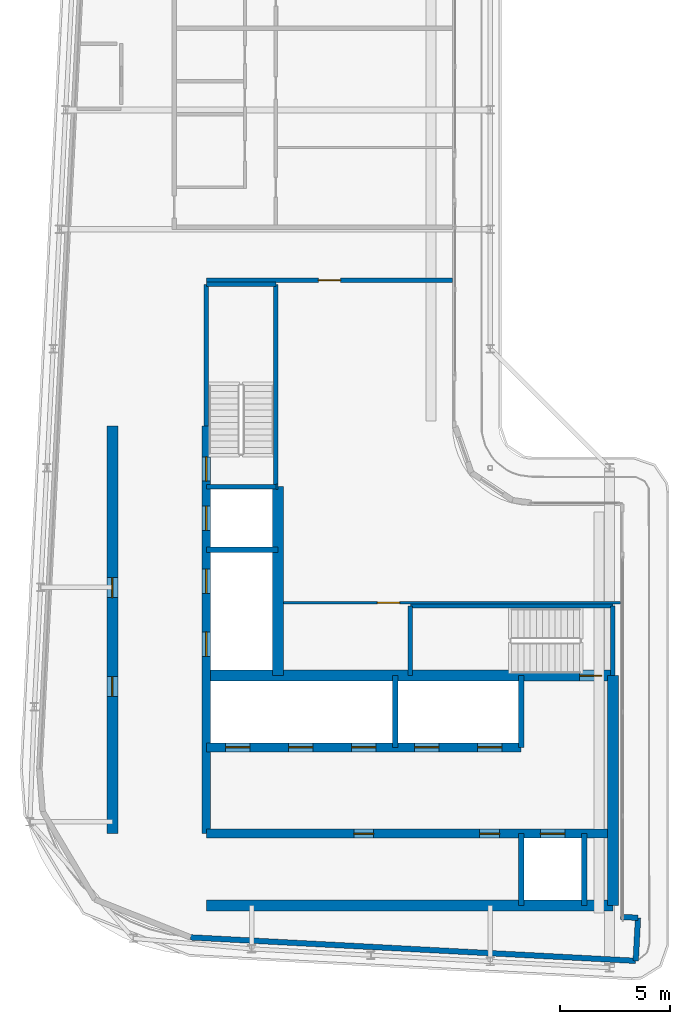
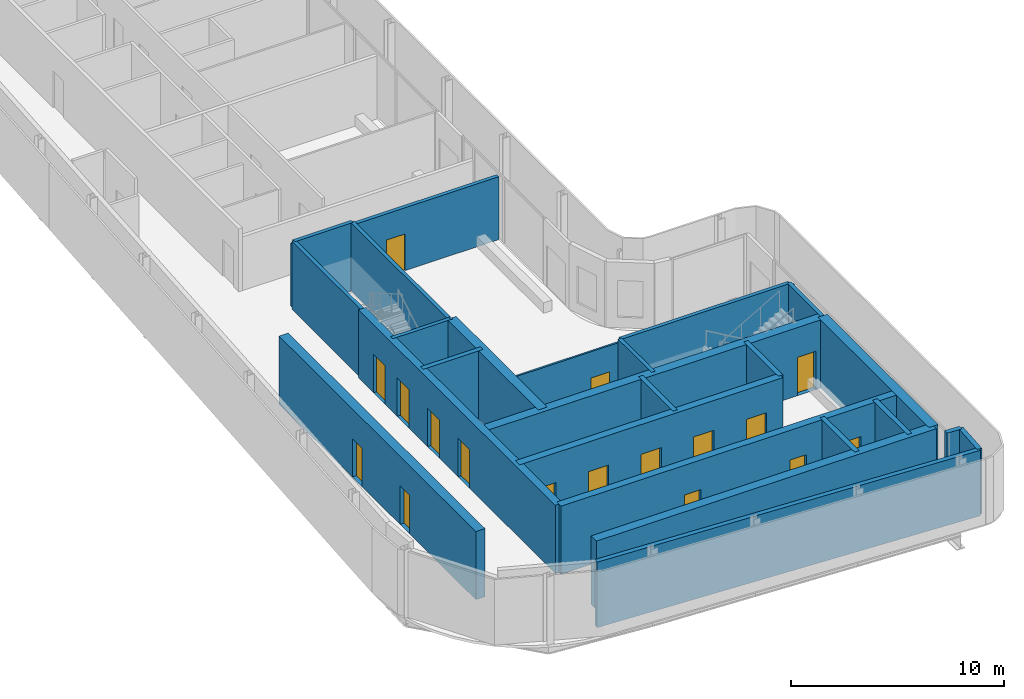
# One storey, part 9 of 18: 26 walls, 17 doors, 17 openings.
"""IFC4 building model written with IfcOpenShell, lengths in metres."""

import ifcopenshell
import ifcopenshell.guid

model = None  # the IFC model being written
_history = None  # IfcOwnerHistory: only IFC2X3 demands one
_inside = {}  # id of a spatial element -> (the spatial element, [elements in it])
_under = {}  # id of a project, library or spatial element -> (it, [spatial elements below it])
_declared = {}  # id of a project -> (the project, [libraries it declares])
_typed = {}  # id of a type object -> (the type object, [elements of that type])
_made_of = {}  # id of a material, layer set ... -> (it, [elements and type objects made of it])


def new_model(schema):
    """Start an empty IFC model of exactly this schema.

    Asked for "IFC4X3", IfcOpenShell would pick the latest addendum, in which some entities
    have other attributes; the version numbers below select the first issue.
    IFC2X3 requires an IfcOwnerHistory on every rooted entity: one is made here for all.
    """
    global model, _history
    if schema == "IFC4X3":
        model = ifcopenshell.file(schema_version=(4, 3, 0, 0))
    else:
        model = ifcopenshell.file(schema=schema)
    _inside.clear()
    _under.clear()
    _declared.clear()
    _typed.clear()
    _made_of.clear()
    _history = None
    if model.schema == "IFC2X3":
        org = make("IfcOrganization", Name="unknown")
        user = make(
            "IfcPersonAndOrganization",
            ThePerson=make("IfcPerson", FamilyName="unknown"),
            TheOrganization=org,
        )
        app = make(
            "IfcApplication",
            ApplicationDeveloper=org,
            Version="unknown",
            ApplicationFullName="unknown",
            ApplicationIdentifier="unknown",
        )
        _history = make(
            "IfcOwnerHistory",
            OwningUser=user,
            OwningApplication=app,
            ChangeAction="ADDED",
            CreationDate=0,
        )
    return model


def make(cls, **values):
    """One entity of the class cls with the attributes given. An attribute that is None is left unset."""
    return model.create_entity(
        cls, **{name: value for name, value in values.items() if value is not None}
    )


def rooted(cls, **values):
    """An entity with a GlobalId (a new one), such as an element, a storey or a relation."""
    return make(cls, GlobalId=ifcopenshell.guid.new(), OwnerHistory=_history, **values)


def si_unit(unit_type, name, prefix=None):
    """IfcSIUnit, for example si_unit("LENGTHUNIT", "METRE", prefix="MILLI")."""
    return make("IfcSIUnit", UnitType=unit_type, Prefix=prefix, Name=name)


def assignment(units):
    """IfcUnitAssignment: the units of a project."""
    return None if units is None else make("IfcUnitAssignment", Units=units)


def point(xyz):
    """IfcCartesianPoint."""
    return None if xyz is None else make("IfcCartesianPoint", Coordinates=xyz)


def direction(xyz):
    """IfcDirection."""
    return None if xyz is None else make("IfcDirection", DirectionRatios=xyz)


def frame(location, z_axis=None, x_axis=None):
    """IfcAxis2Placement3D, a coordinate frame: its origin and axes. An axis left out is left unset."""
    return make(
        "IfcAxis2Placement3D",
        Location=point(location),
        Axis=direction(z_axis),
        RefDirection=direction(x_axis),
    )


def frame_2d(location, x_axis=None):
    """IfcAxis2Placement2D, a coordinate frame in the plane: its origin and x axis."""
    return make(
        "IfcAxis2Placement2D", Location=point(location), RefDirection=direction(x_axis)
    )


def origin():
    """The frame at (0, 0, 0) with its axes left unset."""
    return frame((0.0, 0.0, 0.0))


def place(relative_to, where):
    """IfcLocalPlacement: puts the frame where relative to a parent placement (None: the world)."""
    return make(
        "IfcLocalPlacement", PlacementRelTo=relative_to, RelativePlacement=where
    )


def context(
    kind, dimensions, precision=None, world=None, true_north=None, identifier=None
):
    """IfcGeometricRepresentationContext, for example the 3D "Model" context."""
    return make(
        "IfcGeometricRepresentationContext",
        ContextIdentifier=identifier,
        ContextType=kind,
        CoordinateSpaceDimension=dimensions,
        Precision=precision,
        WorldCoordinateSystem=world,
        TrueNorth=true_north,
    )


def subcontext(parent, identifier, kind, view, scale=None):
    """IfcGeometricRepresentationSubContext, for example "Body" below "Model"."""
    return make(
        "IfcGeometricRepresentationSubContext",
        ContextIdentifier=identifier,
        ContextType=kind,
        ParentContext=parent,
        TargetScale=scale,
        TargetView=view,
    )


def project(units=None, contexts=None):
    """IfcProject with its units and contexts."""
    return rooted(
        "IfcProject",
        Name="project",
        RepresentationContexts=contexts,
        UnitsInContext=assignment(units),
    )


def spatial(cls, under=None, at=None, **own):
    """A site, building, storey or space (cls), placed at a placement, below another one or the project."""
    s = rooted(cls, ObjectPlacement=at, **own)
    if under is not None:
        _under.setdefault(under.id(), (under, []))[1].append(s)
    return s


def profile(cls, at=None, kind="AREA", **sizes):
    """A parametric profile (cls). Its sizes go by their IFC names, for example OverallWidth=200.0."""
    return make(cls, ProfileType=kind, Position=at, **sizes)


def rectangle(**sizes):
    """IfcRectangleProfileDef."""
    return profile("IfcRectangleProfileDef", **sizes)


def extrude(swept, where, along, depth):
    """IfcExtrudedAreaSolid: the profile swept, set in the frame where, extruded along a direction by depth."""
    return make(
        "IfcExtrudedAreaSolid",
        SweptArea=swept,
        Position=where,
        ExtrudedDirection=direction(along),
        Depth=depth,
    )


def shape(context_of_items, identifier, shape_type, items):
    """IfcShapeRepresentation: the items that make up one representation, for example the "Body"."""
    return make(
        "IfcShapeRepresentation",
        ContextOfItems=context_of_items,
        RepresentationIdentifier=identifier,
        RepresentationType=shape_type,
        Items=items,
    )


def source(mapping_origin, context_of_items, identifier, shape_type, items):
    """IfcRepresentationMap: a shape defined once, which mapped items show again and again."""
    return make(
        "IfcRepresentationMap",
        MappingOrigin=mapping_origin,
        MappedRepresentation=shape(context_of_items, identifier, shape_type, items),
    )


def transform(
    local_origin,
    x_axis=None,
    y_axis=None,
    z_axis=None,
    scale=None,
    scale2=None,
    scale3=None,
    uniform=True,
):
    """IfcCartesianTransformationOperator3D, or its non-uniform kind. x_axis, y_axis, z_axis: its Axis1, 2, 3."""
    if uniform:
        return make(
            "IfcCartesianTransformationOperator3D",
            Axis1=direction(x_axis),
            Axis2=direction(y_axis),
            LocalOrigin=point(local_origin),
            Scale=scale,
            Axis3=direction(z_axis),
        )
    return make(
        "IfcCartesianTransformationOperator3DnonUniform",
        Axis1=direction(x_axis),
        Axis2=direction(y_axis),
        LocalOrigin=point(local_origin),
        Scale=scale,
        Axis3=direction(z_axis),
        Scale2=scale2,
        Scale3=scale3,
    )


def mapped(mapping_source, mapping_target):
    """IfcMappedItem: shows the shape of a source again, moved by a transform."""
    return make(
        "IfcMappedItem", MappingSource=mapping_source, MappingTarget=mapping_target
    )


def material(Name=None, Category=None):
    """IfcMaterial."""
    return make("IfcMaterial", Name=Name, Category=Category)


def layer(
    of_material, thickness, ventilated=None, Name=None, Category=None, Priority=None
):
    """IfcMaterialLayer: one layer of a wall or slab, of a material (None: an air gap)."""
    return make(
        "IfcMaterialLayer",
        Material=of_material,
        LayerThickness=thickness,
        IsVentilated=ventilated,
        Name=Name,
        Category=Category,
        Priority=Priority,
    )


def layer_set(layers, Name=None):
    """IfcMaterialLayerSet."""
    return make("IfcMaterialLayerSet", MaterialLayers=layers, LayerSetName=Name)


def made_of(thing, what):
    """Note that an element or type object is made of a material, layer set ...; save() writes the relation."""
    if what is not None:
        _made_of.setdefault(what.id(), (what, []))[1].append(thing)
    return thing


def type_object(cls, material=None, **own):
    """A type object (cls), such as IfcWallType, which elements share."""
    return made_of(rooted(cls, **own), material)


def element(
    cls,
    number,
    at=None,
    inside=None,
    cuts=None,
    type_object=None,
    material=None,
    context=None,
    identifier="Body",
    shape_type=None,
    held_by="IfcProductDefinitionShape",
    body=None,
    shapes=None,
    **own,
):
    """One element of the class cls, such as IfcWall. Its Tag is "e" and its number.

    at: its placement. inside: the storey or other place that contains it. cuts: it is an
    opening in that element (IfcRelVoidsElement). A single representation is given by context,
    identifier, shape_type and body (its items); several are given by shapes. held_by: the class
    of the entity that holds the representations. save() writes the other relations.
    """
    e = rooted(cls, Tag="e%d" % number, ObjectPlacement=at, **own)
    if body is not None:
        shapes = [shape(context, identifier, shape_type, body)]
    if shapes is not None:
        e.Representation = make(held_by, Representations=shapes)
    if inside is not None:
        _inside.setdefault(inside.id(), (inside, []))[1].append(e)
    if cuts is not None:
        rooted(
            "IfcRelVoidsElement", RelatingBuildingElement=cuts, RelatedOpeningElement=e
        )
    if type_object is not None:
        _typed.setdefault(type_object.id(), (type_object, []))[1].append(e)
    return made_of(e, material)


def fill(opening, filler):
    """IfcRelFillsElement: the door or window that sits in an opening."""
    return rooted(
        "IfcRelFillsElement",
        RelatingOpeningElement=opening,
        RelatedBuildingElement=filler,
    )


def aggregate(whole, parts):
    """IfcRelAggregates: a whole, such as a stair, and the parts it consists of."""
    return rooted("IfcRelAggregates", RelatingObject=whole, RelatedObjects=parts)


def save(model, path):
    """Write the relations noted so far, then the file.

    IfcRelAggregates (storeys below a building ...), IfcRelContainedInSpatialStructure (elements
    in a storey), IfcRelDefinesByType, IfcRelAssociatesMaterial and IfcRelDeclares: one each for
    every whole, place, type object, material and project.
    """
    for whole, parts in _under.values():
        aggregate(whole, parts)
    for where, things in _inside.values():
        rooted(
            "IfcRelContainedInSpatialStructure",
            RelatedElements=things,
            RelatingStructure=where,
        )
    for kind, things in _typed.values():
        rooted("IfcRelDefinesByType", RelatedObjects=things, RelatingType=kind)
    for what, things in _made_of.values():
        rooted("IfcRelAssociatesMaterial", RelatedObjects=things, RelatingMaterial=what)
    for by, libraries in _declared.values():
        rooted("IfcRelDeclares", RelatingContext=by, RelatedDefinitions=libraries)
    model.write(path)


model = new_model("IFC4")

# Units and contexts
model_context = context("Model", 3, precision=1e-05, world=origin(), true_north=direction((0.0, 1.0)))
body_context = subcontext(model_context, "Body", "Model", "MODEL_VIEW")
ifc_project = project(units=[si_unit("LENGTHUNIT", "METRE"), si_unit("AREAUNIT", "SQUARE_METRE"), si_unit("VOLUMEUNIT", "CUBIC_METRE"), si_unit("PLANEANGLEUNIT", "RADIAN"), si_unit("MASSUNIT", "GRAM", prefix="KILO")], contexts=[model_context])

# Site, building, storey
site_placement = place(None, origin())
site = spatial("IfcSite", under=ifc_project, at=site_placement, CompositionType="ELEMENT")
building_placement = place(site_placement, origin())
building = spatial("IfcBuilding", under=site, at=building_placement, Name="Kheshtan School and Residences Tower", CompositionType="ELEMENT")
storey_placement = place(building_placement, frame((0.0, 0.0, 361.699951171875)))
storey = spatial("IfcBuildingStorey", under=building, at=storey_placement, Name="L85", CompositionType="ELEMENT", Elevation=361.699951171875)

# Wall, openings, doors
ifc_material_1 = material(Name="Concrete C50/60", Category="concrete")
ifc_layer_1 = layer(ifc_material_1, 0.39990234375)
ifc_layer_set_1 = layer_set([ifc_layer_1], Name="Core wall 400 Concrete C50/60")
wall_type_1 = type_object("IfcWallType", Name="Core wall 400 Concrete C50/60", PredefinedType="SHEAR", material=ifc_layer_set_1)
wall_1_placement = place(storey_placement, frame((34.75, 29.050048828125, 0.0), z_axis=(0.0, 0.0, 1.0), x_axis=(1.0, 0.0, 0.0)))
wall_1 = element("IfcWall", 1, at=wall_1_placement, inside=storey, type_object=wall_type_1, Name="Core wall CW-HALL-S1", PredefinedType="SHEAR", context=body_context, shape_type="SweptSolid", body=[
    extrude(rectangle(XDim=18.39990234375, YDim=0.39990234375, at=frame_2d((9.199951171875, 0.0))), origin(), (0.0, 0.0, 1.0), 3.900146484375),
])
opening_1_placement = place(wall_1_placement, frame((15.125, 0.0, 0.0)))
opening_1 = element("IfcOpeningElement", 2, at=opening_1_placement, cuts=wall_1, Name="Opening LD", PredefinedType="OPENING", context=body_context, shape_type="SweptSolid", body=[
    extrude(rectangle(XDim=1.10009765625, YDim=2.199951171875, at=frame_2d((0.550048828125, 1.10009765625))), frame((0.0, 0.2099609375, 0.0), z_axis=(0.0, -1.0, 0.0), x_axis=(1.0, 0.0, 0.0)), (0.0, 0.0, 1.0), 0.419921875),
])
opening_2_placement = place(wall_1_placement, frame((6.675048828125, 0.0, 0.0)))
opening_2 = element("IfcOpeningElement", 3, at=opening_2_placement, cuts=wall_1, Name="Opening SR90", PredefinedType="OPENING", context=body_context, shape_type="SweptSolid", body=[
    extrude(rectangle(XDim=0.89990234375, YDim=2.199951171875, at=frame_2d((0.449951171875, 1.10009765625))), frame((0.0, 0.2099609375, 0.0), z_axis=(0.0, -1.0, 0.0), x_axis=(1.0, 0.0, 0.0)), (0.0, 0.0, 1.0), 0.419921875),
])
opening_3_placement = place(wall_1_placement, frame((12.375, 0.0, 0.0)))
opening_3 = element("IfcOpeningElement", 4, at=opening_3_placement, cuts=wall_1, Name="Opening SR90", PredefinedType="OPENING", context=body_context, shape_type="SweptSolid", body=[
    extrude(rectangle(XDim=0.89990234375, YDim=2.199951171875, at=frame_2d((0.449951171875, 1.10009765625))), frame((0.0, 0.2099609375, 0.0), z_axis=(0.0, -1.0, 0.0), x_axis=(1.0, 0.0, 0.0)), (0.0, 0.0, 1.0), 0.419921875),
])
ifc_material_2 = material(Name="Stainless steel door leaves", Category="steel")
door_type_1 = type_object("IfcDoorType", Name="Lift landing door 1100", OperationType="SLIDING_TO_LEFT", PredefinedType="DOOR", material=ifc_material_2)
shared_shape_1 = source(origin(), body_context, "Body", "SweptSolid", [
    extrude(rectangle(XDim=1.10009765625, YDim=2.199951171875, at=frame_2d((0.550048828125, 1.10009765625))), frame((0.0, 0.02490234375, 0.0), z_axis=(0.0, -1.0, 0.0), x_axis=(1.0, 0.0, 0.0)), (0.0, 0.0, 1.0), 0.050048828125),
])
door_1_placement = place(opening_1_placement, origin())
door_1 = element("IfcDoor", 5, at=door_1_placement, inside=storey, type_object=door_type_1, Name="Lift FFL2 landing door", OperationType="SLIDING_TO_LEFT", OverallHeight=2.199951171875, OverallWidth=1.10009765625, PredefinedType="DOOR", context=body_context, shape_type="MappedRepresentation", body=[
    mapped(shared_shape_1, transform((0.0, 0.0, 0.0), x_axis=(1.0, 0.0, 0.0), y_axis=(0.0, 1.0, 0.0), z_axis=(0.0, 0.0, 1.0), scale=1.0)),
])
fill(opening_1, door_1)
ifc_material_3 = material(Name="Steel door leaf, galvanised", Category="steel")
door_type_2 = type_object("IfcDoorType", Name="Service room door 900 steel 90 min", OperationType="SINGLE_SWING_LEFT", PredefinedType="DOOR", material=ifc_material_3)
shared_shape_2 = source(origin(), body_context, "Body", "SweptSolid", [
    extrude(rectangle(XDim=0.89990234375, YDim=2.199951171875, at=frame_2d((0.449951171875, 1.10009765625))), frame((0.0, 0.02490234375, 0.0), z_axis=(0.0, -1.0, 0.0), x_axis=(1.0, 0.0, 0.0)), (0.0, 0.0, 1.0), 0.050048828125),
])
door_2_placement = place(opening_2_placement, origin())
door_2 = element("IfcDoor", 6, at=door_2_placement, inside=storey, type_object=door_type_2, Name="Service room door", OperationType="SINGLE_SWING_RIGHT", OverallHeight=2.199951171875, OverallWidth=0.89990234375, PredefinedType="DOOR", context=body_context, shape_type="MappedRepresentation", body=[
    mapped(shared_shape_2, transform((0.0, 0.0, 0.0), x_axis=(1.0, 0.0, 0.0), y_axis=(0.0, 1.0, 0.0), z_axis=(0.0, 0.0, 1.0), scale=1.0)),
])
fill(opening_2, door_2)
door_3_placement = place(opening_3_placement, origin())
door_3 = element("IfcDoor", 7, at=door_3_placement, inside=storey, type_object=door_type_2, Name="Service room door", OperationType="SINGLE_SWING_LEFT", OverallHeight=2.199951171875, OverallWidth=0.89990234375, PredefinedType="DOOR", context=body_context, shape_type="MappedRepresentation", body=[
    mapped(shared_shape_2, transform((0.0, 0.0, 0.0), x_axis=(1.0, 0.0, 0.0), y_axis=(0.0, 1.0, 0.0), z_axis=(0.0, 0.0, 1.0), scale=1.0)),
])
fill(opening_3, door_3)

wall_2_placement = place(storey_placement, frame((34.75, 32.949951171875, 0.0), z_axis=(0.0, 0.0, 1.0), x_axis=(1.0, 0.0, 0.0)))
wall_2 = element("IfcWall", 8, at=wall_2_placement, inside=storey, type_object=wall_type_1, Name="Core wall CW-HALL-S2", PredefinedType="SHEAR", context=body_context, shape_type="SweptSolid", body=[
    extrude(rectangle(XDim=14.25, YDim=0.39990234375, at=frame_2d((7.125, 0.0))), origin(), (0.0, 0.0, 1.0), 3.900146484375),
])
opening_4_placement = place(wall_2_placement, frame((0.875, 0.0, 0.0)))
opening_4 = element("IfcOpeningElement", 9, at=opening_4_placement, cuts=wall_2, Name="Opening LD", PredefinedType="OPENING", context=body_context, shape_type="SweptSolid", body=[
    extrude(rectangle(XDim=1.10009765625, YDim=2.199951171875, at=frame_2d((0.550048828125, 1.10009765625))), frame((0.0, 0.2099609375, 0.0), z_axis=(0.0, -1.0, 0.0), x_axis=(1.0, 0.0, 0.0)), (0.0, 0.0, 1.0), 0.419921875),
])
opening_5_placement = place(wall_2_placement, frame((3.72509765625, 0.0, 0.0)))
opening_5 = element("IfcOpeningElement", 10, at=opening_5_placement, cuts=wall_2, Name="Opening LD", PredefinedType="OPENING", context=body_context, shape_type="SweptSolid", body=[
    extrude(rectangle(XDim=1.10009765625, YDim=2.199951171875, at=frame_2d((0.550048828125, 1.10009765625))), frame((0.0, 0.2099609375, 0.0), z_axis=(0.0, -1.0, 0.0), x_axis=(1.0, 0.0, 0.0)), (0.0, 0.0, 1.0), 0.419921875),
])
opening_6_placement = place(wall_2_placement, frame((6.574951171875, 0.0, 0.0)))
opening_6 = element("IfcOpeningElement", 11, at=opening_6_placement, cuts=wall_2, Name="Opening LD", PredefinedType="OPENING", context=body_context, shape_type="SweptSolid", body=[
    extrude(rectangle(XDim=1.10009765625, YDim=2.199951171875, at=frame_2d((0.550048828125, 1.10009765625))), frame((0.0, 0.2099609375, 0.0), z_axis=(0.0, -1.0, 0.0), x_axis=(1.0, 0.0, 0.0)), (0.0, 0.0, 1.0), 0.419921875),
])
opening_7_placement = place(wall_2_placement, frame((9.425048828125, 0.0, 0.0)))
opening_7 = element("IfcOpeningElement", 12, at=opening_7_placement, cuts=wall_2, Name="Opening LD", PredefinedType="OPENING", context=body_context, shape_type="SweptSolid", body=[
    extrude(rectangle(XDim=1.10009765625, YDim=2.199951171875, at=frame_2d((0.550048828125, 1.10009765625))), frame((0.0, 0.2099609375, 0.0), z_axis=(0.0, -1.0, 0.0), x_axis=(1.0, 0.0, 0.0)), (0.0, 0.0, 1.0), 0.419921875),
])
opening_8_placement = place(wall_2_placement, frame((12.27490234375, 0.0, 0.0)))
opening_8 = element("IfcOpeningElement", 13, at=opening_8_placement, cuts=wall_2, Name="Opening LD", PredefinedType="OPENING", context=body_context, shape_type="SweptSolid", body=[
    extrude(rectangle(XDim=1.10009765625, YDim=2.199951171875, at=frame_2d((0.550048828125, 1.10009765625))), frame((0.0, 0.2099609375, 0.0), z_axis=(0.0, -1.0, 0.0), x_axis=(1.0, 0.0, 0.0)), (0.0, 0.0, 1.0), 0.419921875),
])
door_4_placement = place(opening_4_placement, origin())
door_4 = element("IfcDoor", 14, at=door_4_placement, inside=storey, type_object=door_type_1, Name="Lift P12 landing door", OperationType="SLIDING_TO_LEFT", OverallHeight=2.199951171875, OverallWidth=1.10009765625, PredefinedType="DOOR", context=body_context, shape_type="MappedRepresentation", body=[
    mapped(shared_shape_1, transform((0.0, 0.0, 0.0), x_axis=(1.0, 0.0, 0.0), y_axis=(0.0, 1.0, 0.0), z_axis=(0.0, 0.0, 1.0), scale=1.0)),
])
fill(opening_4, door_4)
door_5_placement = place(opening_5_placement, origin())
door_5 = element("IfcDoor", 15, at=door_5_placement, inside=storey, type_object=door_type_1, Name="Lift P13 landing door", OperationType="SLIDING_TO_LEFT", OverallHeight=2.199951171875, OverallWidth=1.10009765625, PredefinedType="DOOR", context=body_context, shape_type="MappedRepresentation", body=[
    mapped(shared_shape_1, transform((0.0, 0.0, 0.0), x_axis=(1.0, 0.0, 0.0), y_axis=(0.0, 1.0, 0.0), z_axis=(0.0, 0.0, 1.0), scale=1.0)),
])
fill(opening_5, door_5)
door_6_placement = place(opening_6_placement, origin())
door_6 = element("IfcDoor", 16, at=door_6_placement, inside=storey, type_object=door_type_1, Name="Lift P14 landing door", OperationType="SLIDING_TO_LEFT", OverallHeight=2.199951171875, OverallWidth=1.10009765625, PredefinedType="DOOR", context=body_context, shape_type="MappedRepresentation", body=[
    mapped(shared_shape_1, transform((0.0, 0.0, 0.0), x_axis=(1.0, 0.0, 0.0), y_axis=(0.0, 1.0, 0.0), z_axis=(0.0, 0.0, 1.0), scale=1.0)),
])
fill(opening_6, door_6)
door_7_placement = place(opening_7_placement, origin())
door_7 = element("IfcDoor", 17, at=door_7_placement, inside=storey, type_object=door_type_1, Name="Lift P15 landing door", OperationType="SLIDING_TO_LEFT", OverallHeight=2.199951171875, OverallWidth=1.10009765625, PredefinedType="DOOR", context=body_context, shape_type="MappedRepresentation", body=[
    mapped(shared_shape_1, transform((0.0, 0.0, 0.0), x_axis=(1.0, 0.0, 0.0), y_axis=(0.0, 1.0, 0.0), z_axis=(0.0, 0.0, 1.0), scale=1.0)),
])
fill(opening_7, door_7)
door_8_placement = place(opening_8_placement, origin())
door_8 = element("IfcDoor", 18, at=door_8_placement, inside=storey, type_object=door_type_1, Name="Lift P16 landing door", OperationType="SLIDING_TO_LEFT", OverallHeight=2.199951171875, OverallWidth=1.10009765625, PredefinedType="DOOR", context=body_context, shape_type="MappedRepresentation", body=[
    mapped(shared_shape_1, transform((0.0, 0.0, 0.0), x_axis=(1.0, 0.0, 0.0), y_axis=(0.0, 1.0, 0.0), z_axis=(0.0, 0.0, 1.0), scale=1.0)),
])
fill(opening_8, door_8)

wall_3_placement = place(storey_placement, frame((34.75, 29.050048828125, 0.0), z_axis=(0.0, 0.0, 1.0), x_axis=(0.0, 1.0, 0.0)))
wall_3 = element("IfcWall", 19, at=wall_3_placement, inside=storey, type_object=wall_type_1, Name="Core wall CW-HALL-W1", PredefinedType="SHEAR", context=body_context, shape_type="SweptSolid", body=[
    extrude(rectangle(XDim=18.449951171875, YDim=0.39990234375, at=frame_2d((9.22509765625, 0.0))), origin(), (0.0, 0.0, 1.0), 3.900146484375),
])
opening_9_placement = place(wall_3_placement, frame((8.02490234375, 0.0, 0.0)))
opening_9 = element("IfcOpeningElement", 20, at=opening_9_placement, cuts=wall_3, Name="Opening LD", PredefinedType="OPENING", context=body_context, shape_type="SweptSolid", body=[
    extrude(rectangle(XDim=1.10009765625, YDim=2.199951171875, at=frame_2d((0.550048828125, 1.10009765625))), frame((0.0, 0.2099609375, 0.0), z_axis=(0.0, -1.0, 0.0), x_axis=(1.0, 0.0, 0.0)), (0.0, 0.0, 1.0), 0.419921875),
])
opening_10_placement = place(wall_3_placement, frame((10.875, 0.0, 0.0)))
opening_10 = element("IfcOpeningElement", 21, at=opening_10_placement, cuts=wall_3, Name="Opening LD", PredefinedType="OPENING", context=body_context, shape_type="SweptSolid", body=[
    extrude(rectangle(XDim=1.10009765625, YDim=2.199951171875, at=frame_2d((0.550048828125, 1.10009765625))), frame((0.0, 0.2099609375, 0.0), z_axis=(0.0, -1.0, 0.0), x_axis=(1.0, 0.0, 0.0)), (0.0, 0.0, 1.0), 0.419921875),
])
opening_11_placement = place(wall_3_placement, frame((13.72509765625, 0.0, 0.0)))
opening_11 = element("IfcOpeningElement", 22, at=opening_11_placement, cuts=wall_3, Name="Opening LD", PredefinedType="OPENING", context=body_context, shape_type="SweptSolid", body=[
    extrude(rectangle(XDim=1.10009765625, YDim=2.199951171875, at=frame_2d((0.550048828125, 1.10009765625))), frame((0.0, 0.2099609375, 0.0), z_axis=(0.0, -1.0, 0.0), x_axis=(1.0, 0.0, 0.0)), (0.0, 0.0, 1.0), 0.419921875),
])
opening_12_placement = place(wall_3_placement, frame((15.949951171875, 0.0, 0.0)))
opening_12 = element("IfcOpeningElement", 23, at=opening_12_placement, cuts=wall_3, Name="Opening ST2D", PredefinedType="OPENING", context=body_context, shape_type="SweptSolid", body=[
    extrude(rectangle(XDim=1.10009765625, YDim=2.199951171875, at=frame_2d((0.550048828125, 1.10009765625))), frame((0.0, 0.2099609375, 0.0), z_axis=(0.0, -1.0, 0.0), x_axis=(1.0, 0.0, 0.0)), (0.0, 0.0, 1.0), 0.419921875),
])
door_9_placement = place(opening_9_placement, origin())
door_9 = element("IfcDoor", 24, at=door_9_placement, inside=storey, type_object=door_type_1, Name="Lift SV1 landing door", OperationType="SLIDING_TO_LEFT", OverallHeight=2.199951171875, OverallWidth=1.10009765625, PredefinedType="DOOR", context=body_context, shape_type="MappedRepresentation", body=[
    mapped(shared_shape_1, transform((0.0, 0.0, 0.0), x_axis=(1.0, 0.0, 0.0), y_axis=(0.0, 1.0, 0.0), z_axis=(0.0, 0.0, 1.0), scale=1.0)),
])
fill(opening_9, door_9)
door_10_placement = place(opening_10_placement, origin())
door_10 = element("IfcDoor", 25, at=door_10_placement, inside=storey, type_object=door_type_1, Name="Lift SV2 landing door", OperationType="SLIDING_TO_LEFT", OverallHeight=2.199951171875, OverallWidth=1.10009765625, PredefinedType="DOOR", context=body_context, shape_type="MappedRepresentation", body=[
    mapped(shared_shape_1, transform((0.0, 0.0, 0.0), x_axis=(1.0, 0.0, 0.0), y_axis=(0.0, 1.0, 0.0), z_axis=(0.0, 0.0, 1.0), scale=1.0)),
])
fill(opening_10, door_10)
door_11_placement = place(opening_11_placement, origin())
door_11 = element("IfcDoor", 26, at=door_11_placement, inside=storey, type_object=door_type_1, Name="Lift FFL1 landing door", OperationType="SLIDING_TO_LEFT", OverallHeight=2.199951171875, OverallWidth=1.10009765625, PredefinedType="DOOR", context=body_context, shape_type="MappedRepresentation", body=[
    mapped(shared_shape_1, transform((0.0, 0.0, 0.0), x_axis=(1.0, 0.0, 0.0), y_axis=(0.0, 1.0, 0.0), z_axis=(0.0, 0.0, 1.0), scale=1.0)),
])
fill(opening_11, door_11)
door_type_3 = type_object("IfcDoorType", Name="Stair door 1100 steel 90 min", OperationType="SINGLE_SWING_LEFT", PredefinedType="DOOR", material=ifc_material_3)
shared_shape_3 = source(origin(), body_context, "Body", "SweptSolid", [
    extrude(rectangle(XDim=1.10009765625, YDim=2.199951171875, at=frame_2d((0.550048828125, 1.10009765625))), frame((0.0, 0.02490234375, 0.0), z_axis=(0.0, -1.0, 0.0), x_axis=(1.0, 0.0, 0.0)), (0.0, 0.0, 1.0), 0.050048828125),
])
door_12_placement = place(opening_12_placement, origin())
door_12 = element("IfcDoor", 27, at=door_12_placement, inside=storey, type_object=door_type_3, Name="Stair ST2 door", OperationType="SINGLE_SWING_RIGHT", OverallHeight=2.199951171875, OverallWidth=1.10009765625, PredefinedType="DOOR", context=body_context, shape_type="MappedRepresentation", body=[
    mapped(shared_shape_3, transform((0.0, 0.0, 0.0), x_axis=(1.0, 0.0, 0.0), y_axis=(0.0, 1.0, 0.0), z_axis=(0.0, 0.0, 1.0), scale=1.0)),
])
fill(opening_12, door_12)

# Wall
ifc_layer_2 = layer(ifc_material_1, 0.5)
ifc_layer_set_2 = layer_set([ifc_layer_2], Name="Core wall 500 Concrete C50/60")
wall_type_2 = type_object("IfcWallType", Name="Core wall 500 Concrete C50/60", PredefinedType="SHEAR", material=ifc_layer_set_2)
wall_4_placement = place(storey_placement, frame((34.75, 25.800048828125, 0.0), z_axis=(0.0, 0.0, 1.0), x_axis=(1.0, 0.0, 0.0)))
element("IfcWall", 28, at=wall_4_placement, inside=storey, type_object=wall_type_2, Name="Core wall CW-REAR-S", PredefinedType="SHEAR", context=body_context, shape_type="SweptSolid", body=[
    extrude(rectangle(XDim=18.39990234375, YDim=0.5, at=frame_2d((9.199951171875, 0.0))), origin(), (0.0, 0.0, 1.0), 3.900146484375),
])

# Wall, opening, door
wall_5_placement = place(storey_placement, frame((34.75, 36.199951171875, 0.0), z_axis=(0.0, 0.0, 1.0), x_axis=(1.0, 0.0, 0.0)))
wall_5 = element("IfcWall", 29, at=wall_5_placement, inside=storey, type_object=wall_type_2, Name="Core wall CW-FRONT-S", PredefinedType="SHEAR", context=body_context, shape_type="SweptSolid", body=[
    extrude(rectangle(XDim=18.39990234375, YDim=0.5, at=frame_2d((9.199951171875, 0.0))), origin(), (0.0, 0.0, 1.0), 3.900146484375),
])
opening_13_placement = place(wall_5_placement, frame((16.89990234375, 0.0, 0.0)))
opening_13 = element("IfcOpeningElement", 30, at=opening_13_placement, cuts=wall_5, Name="Opening ST1D", PredefinedType="OPENING", context=body_context, shape_type="SweptSolid", body=[
    extrude(rectangle(XDim=1.0, YDim=2.199951171875, at=frame_2d((0.5, 1.10009765625))), frame((0.0, 0.260009765625, 0.0), z_axis=(0.0, -1.0, 0.0), x_axis=(1.0, 0.0, 0.0)), (0.0, 0.0, 1.0), 0.52001953125),
])
shared_shape_4 = source(origin(), body_context, "Body", "SweptSolid", [
    extrude(rectangle(XDim=1.0, YDim=2.199951171875, at=frame_2d((0.5, 1.10009765625))), frame((0.0, 0.02490234375, 0.0), z_axis=(0.0, -1.0, 0.0), x_axis=(1.0, 0.0, 0.0)), (0.0, 0.0, 1.0), 0.050048828125),
])
door_13_placement = place(opening_13_placement, origin())
door_13 = element("IfcDoor", 31, at=door_13_placement, inside=storey, type_object=door_type_3, Name="Stair ST1 door", OperationType="SINGLE_SWING_RIGHT", OverallHeight=2.199951171875, OverallWidth=1.0, PredefinedType="DOOR", context=body_context, shape_type="MappedRepresentation", body=[
    mapped(shared_shape_4, transform((0.0, 0.0, 0.0), x_axis=(1.0, 0.0, 0.0), y_axis=(0.0, 1.0, 0.0), z_axis=(0.0, 0.0, 1.0), scale=1.0)),
])
fill(opening_13, door_13)

# Wall
wall_6_placement = place(storey_placement, frame((38.0, 36.199951171875, 0.0), z_axis=(0.0, 0.0, 1.0), x_axis=(0.0, 1.0, 0.0)))
element("IfcWall", 32, at=wall_6_placement, inside=storey, type_object=wall_type_2, Name="Core wall CW-FRONT-W", PredefinedType="SHEAR", context=body_context, shape_type="SweptSolid", body=[
    extrude(rectangle(XDim=8.550048828125, YDim=0.5, at=frame_2d((4.27490234375, 0.0))), origin(), (0.0, 0.0, 1.0), 3.900146484375),
])

# Wall, openings, doors
wall_7_placement = place(storey_placement, frame((30.5, 29.050048828125, 0.0), z_axis=(0.0, 0.0, 1.0), x_axis=(0.0, 1.0, 0.0)))
wall_7 = element("IfcWall", 33, at=wall_7_placement, inside=storey, type_object=wall_type_2, Name="Core wall CW-REAR-W", PredefinedType="SHEAR", context=body_context, shape_type="SweptSolid", body=[
    extrude(rectangle(XDim=18.449951171875, YDim=0.5, at=frame_2d((9.22509765625, 0.0))), origin(), (0.0, 0.0, 1.0), 3.900146484375),
])
opening_14_placement = place(wall_7_placement, frame((6.2099609375, 0.0, 0.0)))
opening_14 = element("IfcOpeningElement", 34, at=opening_14_placement, cuts=wall_7, Name="Opening SR90", PredefinedType="OPENING", context=body_context, shape_type="SweptSolid", body=[
    extrude(rectangle(XDim=0.89990234375, YDim=2.199951171875, at=frame_2d((0.449951171875, 1.10009765625))), frame((0.0, 0.260009765625, 0.0), z_axis=(0.0, -1.0, 0.0), x_axis=(1.0, 0.0, 0.0)), (0.0, 0.0, 1.0), 0.52001953125),
])
opening_15_placement = place(wall_7_placement, frame((10.68408203125, 0.0, 0.0)))
opening_15 = element("IfcOpeningElement", 35, at=opening_15_placement, cuts=wall_7, Name="Opening SR90", PredefinedType="OPENING", context=body_context, shape_type="SweptSolid", body=[
    extrude(rectangle(XDim=0.89990234375, YDim=2.199951171875, at=frame_2d((0.449951171875, 1.10009765625))), frame((0.0, 0.260009765625, 0.0), z_axis=(0.0, -1.0, 0.0), x_axis=(1.0, 0.0, 0.0)), (0.0, 0.0, 1.0), 0.52001953125),
])
door_14_placement = place(opening_14_placement, origin())
door_14 = element("IfcDoor", 36, at=door_14_placement, inside=storey, type_object=door_type_2, Name="Service room door", OperationType="SINGLE_SWING_RIGHT", OverallHeight=2.199951171875, OverallWidth=0.89990234375, PredefinedType="DOOR", context=body_context, shape_type="MappedRepresentation", body=[
    mapped(shared_shape_2, transform((0.0, 0.0, 0.0), x_axis=(1.0, 0.0, 0.0), y_axis=(0.0, 1.0, 0.0), z_axis=(0.0, 0.0, 1.0), scale=1.0)),
])
fill(opening_14, door_14)
door_15_placement = place(opening_15_placement, origin())
door_15 = element("IfcDoor", 37, at=door_15_placement, inside=storey, type_object=door_type_2, Name="Service room door", OperationType="SINGLE_SWING_LEFT", OverallHeight=2.199951171875, OverallWidth=0.89990234375, PredefinedType="DOOR", context=body_context, shape_type="MappedRepresentation", body=[
    mapped(shared_shape_2, transform((0.0, 0.0, 0.0), x_axis=(1.0, 0.0, 0.0), y_axis=(0.0, 1.0, 0.0), z_axis=(0.0, 0.0, 1.0), scale=1.0)),
])
fill(opening_15, door_15)

# Wall
wall_8_placement = place(storey_placement, frame((53.14990234375, 25.800048828125, 0.0), z_axis=(0.0, 0.0, 1.0), x_axis=(0.0, 1.0, 0.0)))
element("IfcWall", 38, at=wall_8_placement, inside=storey, type_object=wall_type_2, Name="Core wall CW-EAST", PredefinedType="SHEAR", context=body_context, shape_type="SweptSolid", body=[
    extrude(rectangle(XDim=10.39990234375, YDim=0.5, at=frame_2d((5.199951171875, 0.0))), origin(), (0.0, 0.0, 1.0), 3.900146484375),
])

# Wall, opening, door
ifc_material_4 = material(Name="Gypsum board on steel studs with fire boards", Category="steel")
ifc_layer_3 = layer(ifc_material_4, 0.199951171875)
ifc_layer_set_3 = layer_set([ifc_layer_3], Name="Corridor wall 200")
wall_type_3 = type_object("IfcWallType", Name="Corridor wall 200", PredefinedType="PARTITIONING", material=ifc_layer_set_3)
wall_9_placement = place(storey_placement, frame((34.75, 54.10009765625, 0.0), z_axis=(0.0, 0.0, 1.0), x_axis=(1.0, 0.0, 0.0)))
wall_9 = element("IfcWall", 39, at=wall_9_placement, inside=storey, type_object=wall_type_3, Name="Partition L85-017", PredefinedType="PARTITIONING", context=body_context, shape_type="SweptSolid", body=[
    extrude(rectangle(XDim=11.14990234375, YDim=0.199951171875, at=frame_2d((5.574951171875, 0.0))), origin(), (0.0, 0.0, 1.0), 3.60009765625),
])
opening_16_placement = place(wall_9_placement, frame((5.074951171875, 0.0, 0.0)))
opening_16 = element("IfcOpeningElement", 40, at=opening_16_placement, cuts=wall_9, Name="Opening D85-029", PredefinedType="OPENING", context=body_context, shape_type="SweptSolid", body=[
    extrude(rectangle(XDim=1.0, YDim=2.10009765625, at=frame_2d((0.5, 1.050048828125))), frame((0.0, 0.10986328125, 0.0), z_axis=(0.0, -1.0, 0.0), x_axis=(1.0, 0.0, 0.0)), (0.0, 0.0, 1.0), 0.219970703125),
])
ifc_material_5 = material(Name="Steel-framed fire-resisting door leaf", Category="steel")
door_type_4 = type_object("IfcDoorType", Name="Fire door FD60 1000 x 2100", OperationType="SINGLE_SWING_LEFT", PredefinedType="DOOR", material=ifc_material_5)
shared_shape_5 = source(origin(), body_context, "Body", "SweptSolid", [
    extrude(rectangle(XDim=1.0, YDim=2.10009765625, at=frame_2d((0.5, 1.050048828125))), frame((0.0, 0.02490234375, 0.0), z_axis=(0.0, -1.0, 0.0), x_axis=(1.0, 0.0, 0.0)), (0.0, 0.0, 1.0), 0.050048828125),
])
door_16_placement = place(opening_16_placement, origin())
door_16 = element("IfcDoor", 41, at=door_16_placement, inside=storey, type_object=door_type_4, Name="Door D85-029", OperationType="SINGLE_SWING_RIGHT", OverallHeight=2.10009765625, OverallWidth=1.0, PredefinedType="DOOR", context=body_context, shape_type="MappedRepresentation", body=[
    mapped(shared_shape_5, transform((0.0, 0.0, 0.0), x_axis=(1.0, 0.0, 0.0), y_axis=(0.0, 1.0, 0.0), z_axis=(0.0, 0.0, 1.0), scale=1.0)),
])
fill(opening_16, door_16)

# Walls
ifc_material_6 = material(Name="Concrete C40/50 with ceramic cladding and mineral wool insulation", Category="concrete")
ifc_layer_4 = layer(ifc_material_6, 0.25)
ifc_layer_set_4 = layer_set([ifc_layer_4], Name="External wall 250 ceramic clad")
wall_type_4 = type_object("IfcWallType", Name="External wall 250 ceramic clad", PredefinedType="SOLIDWALL", material=ifc_layer_set_4)
wall_10_placement = place(storey_placement, frame((53.507080078125, 25.281005859375, 0.0), z_axis=(0.0, 0.0, 1.0), x_axis=(0.998561284263, -0.053622398031, 0.0)))
element("IfcWall", 42, at=wall_10_placement, inside=storey, type_object=wall_type_4, Name="External wall L85 14", PredefinedType="SOLIDWALL", context=body_context, shape_type="SweptSolid", body=[
    extrude(rectangle(XDim=0.783203125, YDim=0.25, at=frame_2d((0.3916015625, 0.0))), origin(), (0.0, 0.0, 1.0), 3.75),
])
wall_11_placement = place(storey_placement, frame((54.2890625, 25.239013671875, 0.0), z_axis=(0.0, 0.0, 1.0), x_axis=(-0.052841433274, -0.998602915542, 0.0)))
element("IfcWall", 43, at=wall_11_placement, inside=storey, type_object=wall_type_4, Name="External wall L85 15", PredefinedType="SOLIDWALL", context=body_context, shape_type="SweptSolid", body=[
    extrude(rectangle(XDim=1.94970703125, YDim=0.25, at=frame_2d((0.974853515625, 0.0))), origin(), (0.0, 0.0, 1.0), 3.75),
])
wall_12_placement = place(storey_placement, frame((54.18603515625, 23.2919921875, 0.0), z_axis=(0.0, 0.0, 1.0), x_axis=(-0.998616090491, 0.052591860707, 0.0)))
element("IfcWall", 44, at=wall_12_placement, inside=storey, type_object=wall_type_4, Name="External wall L85 16", PredefinedType="SOLIDWALL", context=body_context, shape_type="SweptSolid", body=[
    extrude(rectangle(XDim=20.1748046875, YDim=0.25, at=frame_2d((10.08740234375, 0.0))), origin(), (0.0, 0.0, 1.0), 3.75),
])

# Wall, opening, door
ifc_material_7 = material(Name="Gypsum board on steel studs", Category="steel")
ifc_layer_5 = layer(ifc_material_7, 0.10009765625)
ifc_layer_set_5 = layer_set([ifc_layer_5], Name="Gypsum partition 100")
wall_type_5 = type_object("IfcWallType", Name="Gypsum partition 100", PredefinedType="PARTITIONING", material=ifc_layer_set_5)
wall_13_placement = place(storey_placement, frame((38.2490234375, 39.5, 0.0), z_axis=(0.0, 0.0, 1.0), x_axis=(1.0, 0.0, 0.0)))
wall_13 = element("IfcWall", 45, at=wall_13_placement, inside=storey, type_object=wall_type_5, Name="Partition L85-037", PredefinedType="PARTITIONING", context=body_context, shape_type="SweptSolid", body=[
    extrude(rectangle(XDim=15.2509765625, YDim=0.10009765625, at=frame_2d((7.62548828125, 0.0))), origin(), (0.0, 0.0, 1.0), 3.60009765625),
])
opening_17_placement = place(wall_13_placement, frame((4.2470703125, 0.0, 0.0)))
opening_17 = element("IfcOpeningElement", 46, at=opening_17_placement, cuts=wall_13, Name="Opening D85-028", PredefinedType="OPENING", context=body_context, shape_type="SweptSolid", body=[
    extrude(rectangle(XDim=1.0, YDim=2.10009765625, at=frame_2d((0.5, 1.050048828125))), frame((0.0, 0.06005859375, 0.0), z_axis=(0.0, -1.0, 0.0), x_axis=(1.0, 0.0, 0.0)), (0.0, 0.0, 1.0), 0.1201171875),
])
ifc_material_8 = material(Name="Veneered timber door leaf", Category="wood")
door_type_5 = type_object("IfcDoorType", Name="Door 1000 x 2100", OperationType="SINGLE_SWING_LEFT", PredefinedType="DOOR", material=ifc_material_8)
shared_shape_6 = source(origin(), body_context, "Body", "SweptSolid", [
    extrude(rectangle(XDim=1.0, YDim=2.10009765625, at=frame_2d((0.5, 1.050048828125))), frame((0.0, 0.02490234375, 0.0), z_axis=(0.0, -1.0, 0.0), x_axis=(1.0, 0.0, 0.0)), (0.0, 0.0, 1.0), 0.050048828125),
])
door_17_placement = place(opening_17_placement, origin())
door_17 = element("IfcDoor", 47, at=door_17_placement, inside=storey, type_object=door_type_5, Name="Door D85-028", OperationType="SINGLE_SWING_LEFT", OverallHeight=2.10009765625, OverallWidth=1.0, PredefinedType="DOOR", context=body_context, shape_type="MappedRepresentation", body=[
    mapped(shared_shape_6, transform((0.0, 0.0, 0.0), x_axis=(1.0, 0.0, 0.0), y_axis=(0.0, 1.0, 0.0), z_axis=(0.0, 0.0, 1.0), scale=1.0)),
])
fill(opening_17, door_17)

# Walls
ifc_material_9 = material(Name="Fire-board shaft wall system")
ifc_layer_6 = layer(ifc_material_9, 0.25)
ifc_layer_set_6 = layer_set([ifc_layer_6], Name="Shaft lining wall 250")
wall_type_6 = type_object("IfcWallType", Name="Shaft lining wall 250", PredefinedType="PARTITIONING", material=ifc_layer_set_6)
for number, where, z_axis, x_axis, name in (
    (48, (43.300048828125, 32.949951171875, 0.0), (0.0, 0.0, 1.0), (0.0, 1.0, 0.0), "Shaft lining wall"),
    (49, (49.0, 25.800048828125, 0.0), (0.0, 0.0, 1.0), (0.0, 1.0, 0.0), "Shaft lining wall"),
    (50, (49.0, 32.949951171875, 0.0), (0.0, 0.0, 1.0), (0.0, 1.0, 0.0), "Shaft lining wall"),
    (51, (51.85009765625, 25.800048828125, 0.0), (0.0, 0.0, 1.0), (0.0, 1.0, 0.0), "Shaft lining wall"),
    (52, (34.75, 41.89990234375, 0.0), (0.0, 0.0, 1.0), (1.0, 0.0, 0.0), "Shaft lining wall"),
):
    element("IfcWall", number, at=place(storey_placement, frame(where, z_axis=z_axis, x_axis=x_axis)), inside=storey, type_object=wall_type_6, Name=name, PredefinedType="PARTITIONING", context=body_context, shape_type="SweptSolid", body=[
        extrude(rectangle(XDim=3.25, YDim=0.25, at=frame_2d((1.625, 0.0))), origin(), (0.0, 0.0, 1.0), 3.900146484375),
    ])
wall_14_placement = place(storey_placement, frame((37.89990234375, 44.75, 0.0), z_axis=(0.0, 0.0, 1.0), x_axis=(1.0, 0.0, 0.0)))
element("IfcWall", 53, at=wall_14_placement, inside=storey, type_object=wall_type_6, Name="Shaft lining wall", PredefinedType="PARTITIONING", context=body_context, shape_type="SweptSolid", body=[
    extrude(rectangle(XDim=0.10009765625, YDim=0.25, at=frame_2d((0.050048828125, 0.0))), origin(), (0.0, 0.0, 1.0), 3.900146484375),
])
ifc_material_10 = material(Name="Concrete C40/50", Category="concrete")
ifc_layer_7 = layer(ifc_material_10, 0.199951171875)
ifc_layer_set_7 = layer_set([ifc_layer_7], Name="Stair enclosure wall 200 Concrete C40/50")
wall_type_7 = type_object("IfcWallType", Name="Stair enclosure wall 200 Concrete C40/50", PredefinedType="SHEAR", material=ifc_layer_set_7)
wall_15_placement = place(storey_placement, frame((43.989990234375, 39.35009765625, 0.0), z_axis=(0.0, 0.0, 1.0), x_axis=(1.0, 0.0, 0.0)))
element("IfcWall", 54, at=wall_15_placement, inside=storey, type_object=wall_type_7, Name="Stair enclosure wall ST1", PredefinedType="SHEAR", context=body_context, shape_type="SweptSolid", body=[
    extrude(rectangle(XDim=9.159912109375, YDim=0.199951171875, at=frame_2d((4.580078125, 0.0))), origin(), (0.0, 0.0, 1.0), 3.900146484375),
])
for number, where, z_axis, x_axis, name in (
    (55, (43.989990234375, 36.199951171875, 0.0), (0.0, 0.0, 1.0), (0.0, 1.0, 0.0), "Stair enclosure wall ST1"),
    (56, (53.14990234375, 36.199951171875, 0.0), (0.0, 0.0, 1.0), (0.0, 1.0, 0.0), "Stair enclosure wall ST1"),
):
    element("IfcWall", number, at=place(storey_placement, frame(where, z_axis=z_axis, x_axis=x_axis)), inside=storey, type_object=wall_type_7, Name=name, PredefinedType="SHEAR", context=body_context, shape_type="SweptSolid", body=[
        extrude(rectangle(XDim=3.150146484375, YDim=0.199951171875, at=frame_2d((1.5751953125, 0.0))), origin(), (0.0, 0.0, 1.0), 3.900146484375),
    ])
for number, where, z_axis, x_axis, name in (
    (57, (34.75, 44.75, 0.0), (0.0, 0.0, 1.0), (1.0, 0.0, 0.0), "Stair enclosure wall ST2"),
    (58, (34.75, 53.909912109375, 0.0), (0.0, 0.0, 1.0), (1.0, 0.0, 0.0), "Stair enclosure wall ST2"),
):
    element("IfcWall", number, at=place(storey_placement, frame(where, z_axis=z_axis, x_axis=x_axis)), inside=storey, type_object=wall_type_7, Name=name, PredefinedType="SHEAR", context=body_context, shape_type="SweptSolid", body=[
        extrude(rectangle(XDim=3.14990234375, YDim=0.199951171875, at=frame_2d((1.574951171875, 0.0))), origin(), (0.0, 0.0, 1.0), 3.900146484375),
    ])
wall_16_placement = place(storey_placement, frame((34.75, 47.5, 0.0), z_axis=(0.0, 0.0, 1.0), x_axis=(0.0, 1.0, 0.0)))
element("IfcWall", 59, at=wall_16_placement, inside=storey, type_object=wall_type_7, Name="Stair enclosure wall ST2", PredefinedType="SHEAR", context=body_context, shape_type="SweptSolid", body=[
    extrude(rectangle(XDim=6.409912109375, YDim=0.199951171875, at=frame_2d((3.205078125, 0.0))), origin(), (0.0, 0.0, 1.0), 3.900146484375),
])
wall_17_placement = place(storey_placement, frame((37.89990234375, 44.75, 0.0), z_axis=(0.0, 0.0, 1.0), x_axis=(0.0, 1.0, 0.0)))
element("IfcWall", 60, at=wall_17_placement, inside=storey, type_object=wall_type_7, Name="Stair enclosure wall ST2", PredefinedType="SHEAR", context=body_context, shape_type="SweptSolid", body=[
    extrude(rectangle(XDim=9.159912109375, YDim=0.199951171875, at=frame_2d((4.580078125, 0.0))), origin(), (0.0, 0.0, 1.0), 3.900146484375),
])

save(model, "model.ifc")
